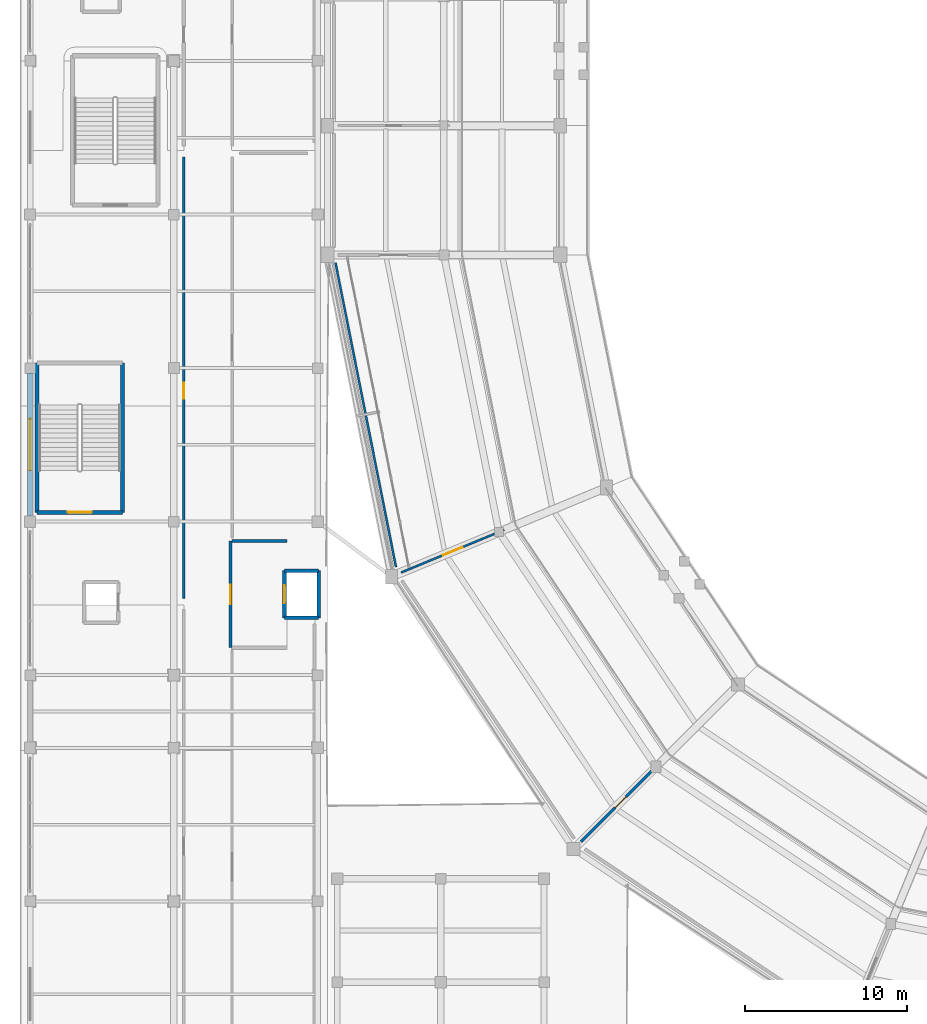
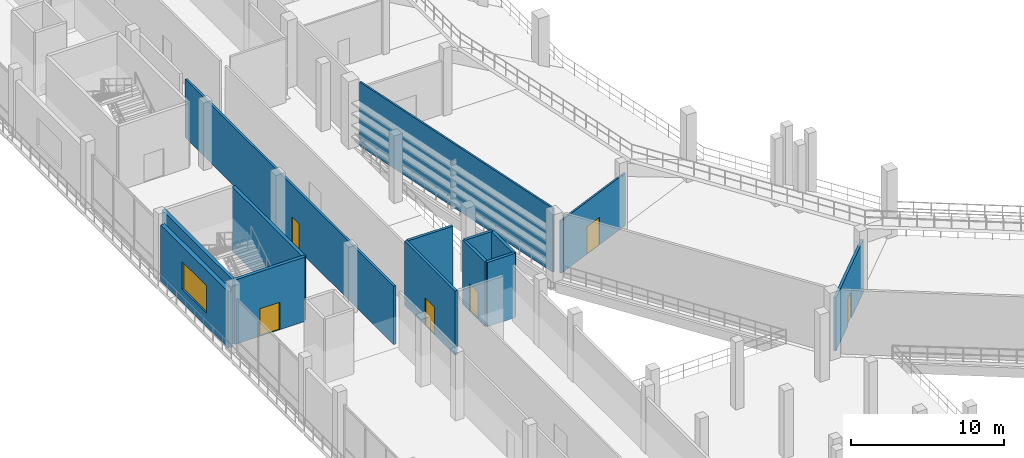
# One storey, part 73 of 127: 14 walls, 6 doors, 1 window, 7 openings.
"""IFC4 building model written with IfcOpenShell, lengths in metres."""

from ifc_helpers import new_model, si_unit, direction, frame, frame_2d, origin, place, context, subcontext, project, spatial, rectangle, extrude, material, layer, layer_set, type_object, element, fill, save


model = new_model("IFC4")

# Units and contexts
model_context = context("Model", 3, precision=1e-05, world=origin(), true_north=direction((0.0, 1.0)))
body_context = subcontext(model_context, "Body", "Model", "MODEL_VIEW")
ifc_project = project(units=[si_unit("LENGTHUNIT", "METRE"), si_unit("AREAUNIT", "SQUARE_METRE"), si_unit("VOLUMEUNIT", "CUBIC_METRE"), si_unit("PLANEANGLEUNIT", "RADIAN"), si_unit("MASSUNIT", "GRAM", prefix="KILO")], contexts=[model_context])

# Site, building, storey
site_placement = place(None, origin())
site = spatial("IfcSite", under=ifc_project, at=site_placement, CompositionType="ELEMENT")
building_placement = place(site_placement, origin())
building = spatial("IfcBuilding", under=site, at=building_placement, Name="Candeia Ridge Stadium", CompositionType="ELEMENT")
storey_placement = place(building_placement, frame((0.0, 0.0, 10.800048828125)))
storey = spatial("IfcBuildingStorey", under=building, at=storey_placement, Name="L02", CompositionType="ELEMENT", Elevation=10.800048828125)

# Walls
ifc_material_1 = material(Name="Concrete C40/50", Category="concrete")
ifc_layer_1 = layer(ifc_material_1, 0.25, Name="Concrete C40/50", Category="concrete")
ifc_layer_set_1 = layer_set([ifc_layer_1], Name="Concrete C40/50")
wall_type_1 = type_object("IfcWallType", Name="Core Shear Wall Concrete 250", PredefinedType="SHEAR", material=ifc_layer_set_1)
for number, where, z_axis, x_axis, name in (
    (1, (6.32470703125, 55.075439453125, 0.0), (0.0, 0.0, 1.0), (0.0, 1.0, 0.0), "Core C05 left shear wall L02"),
    (2, (1.025390625, 64.32470703125, 0.0), (0.0, 0.0, 1.0), (0.0, -1.0, 0.0), "Core C05 right shear wall L02"),
):
    element("IfcWall", number, at=place(storey_placement, frame(where, z_axis=z_axis, x_axis=x_axis)), inside=storey, type_object=wall_type_1, Name=name, PredefinedType="SHEAR", context=body_context, shape_type="SweptSolid", body=[
        extrude(rectangle(XDim=9.249267578125, YDim=0.25, at=frame_2d((4.62451171875, 0.0))), origin(), (0.0, 0.0, 1.0), 5.14990234375),
    ])

# Wall, opening, door
wall_1_placement = place(storey_placement, frame((1.025390625, 55.075439453125, 0.0), z_axis=(0.0, 0.0, 1.0), x_axis=(1.0, 0.0, 0.0)))
wall_1 = element("IfcWall", 3, at=wall_1_placement, inside=storey, type_object=wall_type_1, Name="Core C05 near shear wall L02", PredefinedType="SHEAR", context=body_context, shape_type="SweptSolid", body=[
    extrude(rectangle(XDim=5.29931640625, YDim=0.25, at=frame_2d((2.649658203125, 0.0))), origin(), (0.0, 0.0, 1.0), 5.14990234375),
])
opening_1_placement = place(wall_1_placement, frame((1.899658203125, 0.0, 0.0)))
opening_1 = element("IfcOpeningElement", 4, at=opening_1_placement, cuts=wall_1, Name="Opening FD01", PredefinedType="OPENING", context=body_context, shape_type="SweptSolid", body=[
    extrude(rectangle(XDim=1.5, YDim=2.199951171875, at=frame_2d((0.75, 1.10009765625))), frame((0.0, 0.135009765625, 0.0), z_axis=(0.0, -1.0, 0.0), x_axis=(1.0, 0.0, 0.0)), (0.0, 0.0, 1.0), 0.27001953125),
])
ifc_material_2 = material(Name="Galvanized Fire-Rated Steel", Category="steel")
door_type_1 = type_object("IfcDoorType", Name="Exit Stair Core Fire Door 1500x2200", OperationType="NOTDEFINED", PredefinedType="DOOR", material=ifc_material_2)
door_1_placement = place(opening_1_placement, origin())
door_1 = element("IfcDoor", 5, at=door_1_placement, inside=storey, type_object=door_type_1, Name="Exit stair fire door SD-ST05-L02", OperationType="DOUBLE_DOOR_SINGLE_SWING", OverallHeight=2.199951171875, OverallWidth=1.5, PredefinedType="DOOR", context=body_context, shape_type="SweptSolid", body=[
    extrude(rectangle(XDim=1.5, YDim=2.199951171875, at=frame_2d((0.75, 1.10009765625))), frame((0.0, 0.02490234375, 0.0), z_axis=(0.0, -1.0, 0.0), x_axis=(1.0, 0.0, 0.0)), (0.0, 0.0, 1.0), 0.050048828125),
])
fill(opening_1, door_1)

# Wall, opening, window
ifc_material_3 = material(Name="Concrete C35/45", Category="concrete")
ifc_layer_2 = layer(ifc_material_3, 0.320068359375, Name="Concrete C35/45", Category="concrete")
ifc_layer_set_2 = layer_set([ifc_layer_2], Name="Concrete C35/45")
wall_type_2 = type_object("IfcWallType", Name="Exterior Cedar-Clad Insulated Wall 320", PredefinedType="SOLIDWALL", material=ifc_layer_set_2)
wall_2_placement = place(storey_placement, frame((0.60009765625, 54.837890625, 0.0), z_axis=(0.0, 0.0, 1.0), x_axis=(0.0, 1.0, 0.0)))
wall_2 = element("IfcWall", 6, at=wall_2_placement, inside=storey, type_object=wall_type_2, Name="Exterior facade wall EW-L02-0077", PredefinedType="SOLIDWALL", context=body_context, shape_type="SweptSolid", body=[
    extrude(rectangle(XDim=8.84912109375, YDim=0.320068359375, at=frame_2d((4.424560546875, 0.0))), origin(), (0.0, 0.0, 1.0), 4.48486328125),
])
opening_2_placement = place(wall_2_placement, frame((2.824462890625, 0.0, 1.050048828125)))
opening_2 = element("IfcOpeningElement", 7, at=opening_2_placement, cuts=wall_2, Name="Opening W05", PredefinedType="OPENING", context=body_context, shape_type="SweptSolid", body=[
    extrude(rectangle(XDim=3.199951171875, YDim=2.199951171875, at=frame_2d((1.60009765625, 1.10009765625))), frame((0.0, 0.169921875, 0.0), z_axis=(0.0, -1.0, 0.0), x_axis=(1.0, 0.0, 0.0)), (0.0, 0.0, 1.0), 0.340087890625),
])
ifc_material_4 = material(Name="Tempered Solar-Control Double Glazing", Category="glass")
window_type = type_object("IfcWindowType", Name="Club Dining Picture Window 3200x2200", PartitioningType="SINGLE_PANEL", PredefinedType="WINDOW", material=ifc_material_4)
window_placement = place(opening_2_placement, origin())
window = element("IfcWindow", 8, at=window_placement, inside=storey, type_object=window_type, Name="Exterior window WIN-L02-031", OverallHeight=2.199951171875, OverallWidth=3.199951171875, PartitioningType="SINGLE_PANEL", PredefinedType="WINDOW", context=body_context, shape_type="SweptSolid", body=[
    extrude(rectangle(XDim=3.199951171875, YDim=2.199951171875, at=frame_2d((1.60009765625, 1.10009765625))), frame((0.0, 0.030029296875, 0.0), z_axis=(0.0, -1.0, 0.0), x_axis=(1.0, 0.0, 0.0)), (0.0, 0.0, 1.0), 0.06005859375),
])
fill(opening_2, window)

# Wall
ifc_layer_3 = layer(ifc_material_3, 0.199951171875, Name="Concrete C35/45", Category="concrete")
ifc_layer_set_3 = layer_set([ifc_layer_3], Name="Concrete C35/45")
wall_type_3 = type_object("IfcWallType", Name="Firefighting Lobby Rated Wall 200", PredefinedType="SOLIDWALL", material=ifc_layer_set_3)
wall_3_placement = place(storey_placement, frame((16.5, 53.300048828125, 0.0), z_axis=(0.0, 0.0, 1.0), x_axis=(-1.0, 0.0, 0.0)))
element("IfcWall", 9, at=wall_3_placement, inside=storey, type_object=wall_type_3, Name="Firefighting lift lobby FF1 rated wall L02 north", PredefinedType="SOLIDWALL", context=body_context, shape_type="SweptSolid", body=[
    extrude(rectangle(XDim=3.39990234375, YDim=0.199951171875, at=frame_2d((1.699951171875, 0.0))), origin(), (0.0, 0.0, 1.0), 5.119873046875),
])

# Wall, opening, door
wall_4_placement = place(storey_placement, frame((13.0, 53.300048828125, 0.0), z_axis=(0.0, 0.0, 1.0), x_axis=(0.0, -1.0, 0.0)))
wall_4 = element("IfcWall", 10, at=wall_4_placement, inside=storey, type_object=wall_type_3, Name="Firefighting lift lobby FF1 rated wall L02 entry", PredefinedType="SOLIDWALL", context=body_context, shape_type="SweptSolid", body=[
    extrude(rectangle(XDim=6.60009765625, YDim=0.199951171875, at=frame_2d((3.300048828125, 0.0))), origin(), (0.0, 0.0, 1.0), 5.119873046875),
])
opening_3_placement = place(wall_4_placement, frame((2.699951171875, 0.0, 0.0)))
opening_3 = element("IfcOpeningElement", 11, at=opening_3_placement, cuts=wall_4, Name="Opening FD02", PredefinedType="OPENING", context=body_context, shape_type="SweptSolid", body=[
    extrude(rectangle(XDim=1.199951171875, YDim=2.199951171875, at=frame_2d((0.60009765625, 1.10009765625))), frame((0.0, 0.10986328125, 0.0), z_axis=(0.0, -1.0, 0.0), x_axis=(1.0, 0.0, 0.0)), (0.0, 0.0, 1.0), 0.219970703125),
])
door_type_2 = type_object("IfcDoorType", Name="Firefighting Lobby Fire Door 1200x2200", OperationType="NOTDEFINED", PredefinedType="DOOR", material=ifc_material_2)
door_2_placement = place(opening_3_placement, frame((1.199951171875, 0.0, 0.0), z_axis=(0.0, 0.0, 1.0), x_axis=(-1.0, 0.0, 0.0)))
door_2 = element("IfcDoor", 12, at=door_2_placement, inside=storey, type_object=door_type_2, Name="Firefighting lobby fire door FFD-FF1-L02", OperationType="SINGLE_SWING_LEFT", OverallHeight=2.199951171875, OverallWidth=1.199951171875, PredefinedType="DOOR", context=body_context, shape_type="SweptSolid", body=[
    extrude(rectangle(XDim=1.199951171875, YDim=2.199951171875, at=frame_2d((0.60009765625, 1.10009765625))), frame((0.0, 0.02490234375, 0.0), z_axis=(0.0, -1.0, 0.0), x_axis=(1.0, 0.0, 0.0)), (0.0, 0.0, 1.0), 0.050048828125),
])
fill(opening_3, door_2)

ifc_material_5 = material(Name="Gypsum Acoustic Twin-Stud Assembly", Category="gypsum")
ifc_layer_4 = layer(ifc_material_5, 0.1650390625, Name="Gypsum Acoustic Twin-Stud Assembly", Category="gypsum")
ifc_layer_set_4 = layer_set([ifc_layer_4], Name="Gypsum Acoustic Twin-Stud Assembly")
wall_type_4 = type_object("IfcWallType", Name="Hospitality Suite Acoustic Wall 165", PredefinedType="PARTITIONING", material=ifc_layer_set_4)
wall_5_placement = place(storey_placement, frame((10.10009765625, 77.050048828125, 0.0), z_axis=(0.0, 0.0, 1.0), x_axis=(0.0, -1.0, 0.0)))
wall_5 = element("IfcWall", 13, at=wall_5_placement, inside=storey, type_object=wall_type_4, Name="Interior partition PT-L02-0339", PredefinedType="PARTITIONING", context=body_context, shape_type="SweptSolid", body=[
    extrude(rectangle(XDim=27.300048828125, YDim=0.1650390625, at=frame_2d((13.64990234375, 0.0))), origin(), (0.0, 0.0, 1.0), 4.677978515625),
])
opening_4_placement = place(wall_5_placement, frame((13.9599609375, 0.0, 0.0)))
opening_4 = element("IfcOpeningElement", 14, at=opening_4_placement, cuts=wall_5, Name="Opening ID12", PredefinedType="OPENING", context=body_context, shape_type="SweptSolid", body=[
    extrude(rectangle(XDim=0.97998046875, YDim=2.14990234375, at=frame_2d((0.489990234375, 1.074951171875))), frame((0.0, 0.092529296875, 0.0), z_axis=(0.0, -1.0, 0.0), x_axis=(1.0, 0.0, 0.0)), (0.0, 0.0, 1.0), 0.18505859375),
])
ifc_material_6 = material(Name="Acoustic Timber Studio Leaf", Category="wood")
door_type_3 = type_object("IfcDoorType", Name="Commentary Booth Acoustic Door 980x2150", OperationType="NOTDEFINED", PredefinedType="DOOR", material=ifc_material_6)
door_3_placement = place(opening_4_placement, frame((0.97998046875, 0.0, 0.0), z_axis=(0.0, 0.0, 1.0), x_axis=(-1.0, 0.0, 0.0)))
door_3 = element("IfcDoor", 15, at=door_3_placement, inside=storey, type_object=door_type_3, Name="Interior room door D-L02-0175", OperationType="SINGLE_SWING_RIGHT", OverallHeight=2.14990234375, OverallWidth=0.97998046875, PredefinedType="DOOR", context=body_context, shape_type="SweptSolid", body=[
    extrude(rectangle(XDim=0.97998046875, YDim=2.14990234375, at=frame_2d((0.489990234375, 1.074951171875))), frame((0.0, 0.02490234375, 0.0), z_axis=(0.0, -1.0, 0.0), x_axis=(1.0, 0.0, 0.0)), (0.0, 0.0, 1.0), 0.050048828125),
])
fill(opening_4, door_3)

# Walls
ifc_layer_5 = layer(ifc_material_1, 0.219970703125, Name="Concrete C40/50", Category="concrete")
ifc_layer_set_5 = layer_set([ifc_layer_5], Name="Concrete C40/50")
wall_type_5 = type_object("IfcWallType", Name="Lift & Riser Shaft Wall 220", PredefinedType="SHEAR", material=ifc_layer_set_5)
wall_6_placement = place(storey_placement, frame((16.340087890625, 48.5400390625, 0.0), z_axis=(0.0, 0.0, 1.0), x_axis=(1.0, 0.0, 0.0)))
element("IfcWall", 16, at=wall_6_placement, inside=storey, type_object=wall_type_5, Name="Lift FF1 shaft wall L02 south", PredefinedType="SHEAR", context=body_context, shape_type="SweptSolid", body=[
    extrude(rectangle(XDim=2.119873046875, YDim=0.219970703125, at=frame_2d((1.06005859375, 0.0))), origin(), (0.0, 0.0, 1.0), 5.14990234375),
])
wall_7_placement = place(storey_placement, frame((18.4599609375, 48.5400390625, 0.0), z_axis=(0.0, 0.0, 1.0), x_axis=(0.0, 1.0, 0.0)))
element("IfcWall", 17, at=wall_7_placement, inside=storey, type_object=wall_type_5, Name="Lift FF1 shaft wall L02 east", PredefinedType="SHEAR", context=body_context, shape_type="SweptSolid", body=[
    extrude(rectangle(XDim=2.919921875, YDim=0.219970703125, at=frame_2d((1.4599609375, 0.0))), origin(), (0.0, 0.0, 1.0), 5.14990234375),
])
wall_8_placement = place(storey_placement, frame((18.4599609375, 51.4599609375, 0.0), z_axis=(0.0, 0.0, 1.0), x_axis=(-1.0, 0.0, 0.0)))
element("IfcWall", 18, at=wall_8_placement, inside=storey, type_object=wall_type_5, Name="Lift FF1 shaft wall L02 north", PredefinedType="SHEAR", context=body_context, shape_type="SweptSolid", body=[
    extrude(rectangle(XDim=2.119873046875, YDim=0.219970703125, at=frame_2d((1.06005859375, 0.0))), origin(), (0.0, 0.0, 1.0), 5.14990234375),
])

# Wall, opening, door
wall_9_placement = place(storey_placement, frame((16.340087890625, 51.4599609375, 0.0), z_axis=(0.0, 0.0, 1.0), x_axis=(0.0, -1.0, 0.0)))
wall_9 = element("IfcWall", 19, at=wall_9_placement, inside=storey, type_object=wall_type_5, Name="Lift FF1 shaft wall L02 west", PredefinedType="SHEAR", context=body_context, shape_type="SweptSolid", body=[
    extrude(rectangle(XDim=2.919921875, YDim=0.219970703125, at=frame_2d((1.4599609375, 0.0))), origin(), (0.0, 0.0, 1.0), 5.14990234375),
])
opening_5_placement = place(wall_9_placement, frame((0.909912109375, 0.0, 0.0)))
opening_5 = element("IfcOpeningElement", 20, at=opening_5_placement, cuts=wall_9, Name="Opening LD01", PredefinedType="OPENING", context=body_context, shape_type="SweptSolid", body=[
    extrude(rectangle(XDim=1.10009765625, YDim=2.199951171875, at=frame_2d((0.550048828125, 1.10009765625))), frame((0.0, 0.119873046875, 0.0), z_axis=(0.0, -1.0, 0.0), x_axis=(1.0, 0.0, 0.0)), (0.0, 0.0, 1.0), 0.239990234375),
])
ifc_material_7 = material(Name="Brushed Stainless Steel", Category="steel")
door_type_4 = type_object("IfcDoorType", Name="Firefighting Lift Landing Door 1100x2200", OperationType="NOTDEFINED", PredefinedType="DOOR", material=ifc_material_7)
door_4_placement = place(opening_5_placement, origin())
door_4 = element("IfcDoor", 21, at=door_4_placement, inside=storey, type_object=door_type_4, Name="Lift landing sliding door LD-FF1-L02", OperationType="DOUBLE_DOOR_SLIDING", OverallHeight=2.199951171875, OverallWidth=1.10009765625, PredefinedType="DOOR", context=body_context, shape_type="SweptSolid", body=[
    extrude(rectangle(XDim=1.10009765625, YDim=2.199951171875, at=frame_2d((0.550048828125, 1.10009765625))), frame((0.0, 0.02490234375, 0.0), z_axis=(0.0, -1.0, 0.0), x_axis=(1.0, 0.0, 0.0)), (0.0, 0.0, 1.0), 0.050048828125),
])
fill(opening_5, door_4)

ifc_material_8 = material(Name="Gypsum Acoustic Triple-Board Wall", Category="gypsum")
ifc_layer_6 = layer(ifc_material_8, 0.18994140625, Name="Gypsum Acoustic Triple-Board Wall", Category="gypsum")
ifc_layer_set_6 = layer_set([ifc_layer_6], Name="Gypsum Acoustic Triple-Board Wall")
wall_type_6 = type_object("IfcWallType", Name="Media & Commentary Studio Wall 190", PredefinedType="PARTITIONING", material=ifc_layer_set_6)
wall_10_placement = place(storey_placement, frame((39.569091796875, 39.569091796875, 0.0), z_axis=(0.0, 0.0, 1.0), x_axis=(-0.707106781187, -0.707106781187, 0.0)))
wall_10 = element("IfcWall", 22, at=wall_10_placement, inside=storey, type_object=wall_type_6, Name="Interior partition PT-L02-0471", PredefinedType="PARTITIONING", context=body_context, shape_type="SweptSolid", body=[
    extrude(rectangle(XDim=6.89990234375, YDim=0.18994140625, at=frame_2d((3.449951171875, 0.0))), origin(), (0.0, 0.0, 1.0), 4.2548828125),
])
opening_6_placement = place(wall_10_placement, frame((2.969970703125, 0.0, 0.0)))
opening_6 = element("IfcOpeningElement", 23, at=opening_6_placement, cuts=wall_10, Name="Opening ID17", PredefinedType="OPENING", context=body_context, shape_type="SweptSolid", body=[
    extrude(rectangle(XDim=0.9599609375, YDim=2.14990234375, at=frame_2d((0.47998046875, 1.074951171875))), frame((0.0, 0.10498046875, 0.0), z_axis=(0.0, -1.0, 0.0), x_axis=(1.0, 0.0, 0.0)), (0.0, 0.0, 1.0), 0.2099609375),
])
ifc_material_9 = material(Name="Solid Core Cedar Veneer", Category="wood")
door_type_5 = type_object("IfcDoorType", Name="Ticketing Office Single Door 960x2150", OperationType="NOTDEFINED", PredefinedType="DOOR", material=ifc_material_9)
door_5_placement = place(opening_6_placement, origin())
door_5 = element("IfcDoor", 24, at=door_5_placement, inside=storey, type_object=door_type_5, Name="Interior room door D-L02-0243", OperationType="SINGLE_SWING_LEFT", OverallHeight=2.14990234375, OverallWidth=0.9599609375, PredefinedType="DOOR", context=body_context, shape_type="SweptSolid", body=[
    extrude(rectangle(XDim=0.9599609375, YDim=2.14990234375, at=frame_2d((0.47998046875, 1.074951171875))), frame((0.0, 0.02490234375, 0.0), z_axis=(0.0, -1.0, 0.0), x_axis=(1.0, 0.0, 0.0)), (0.0, 0.0, 1.0), 0.050048828125),
])
fill(opening_6, door_5)

ifc_material_10 = material(Name="Gypsum Metal-Stud Partition", Category="gypsum")
ifc_layer_7 = layer(ifc_material_10, 0.1298828125, Name="Gypsum Metal-Stud Partition", Category="gypsum")
ifc_layer_set_7 = layer_set([ifc_layer_7], Name="Gypsum Metal-Stud Partition")
wall_type_7 = type_object("IfcWallType", Name="Ticketing Back-Office Partition 130", PredefinedType="PARTITIONING", material=ifc_layer_set_7)
wall_11_placement = place(storey_placement, frame((29.93359375, 53.98974609375, 0.0), z_axis=(0.0, 0.0, 1.0), x_axis=(-0.923873656974, -0.38269761686, 0.0)))
wall_11 = element("IfcWall", 25, at=wall_11_placement, inside=storey, type_object=wall_type_7, Name="Interior partition PT-L02-0469", PredefinedType="PARTITIONING", context=body_context, shape_type="SweptSolid", body=[
    extrude(rectangle(XDim=6.900146484375, YDim=0.1298828125, at=frame_2d((3.4501953125, 0.0))), origin(), (0.0, 0.0, 1.0), 4.21484375),
])
opening_7_placement = place(wall_11_placement, frame((2.800048828125, 0.0, 0.0)))
opening_7 = element("IfcOpeningElement", 26, at=opening_7_placement, cuts=wall_11, Name="Opening ID13", PredefinedType="OPENING", context=body_context, shape_type="SweptSolid", body=[
    extrude(rectangle(XDim=1.300048828125, YDim=2.199951171875, at=frame_2d((0.64990234375, 1.10009765625))), frame((0.0, 0.074951171875, 0.0), z_axis=(0.0, -1.0, 0.0), x_axis=(1.0, 0.0, 0.0)), (0.0, 0.0, 1.0), 0.14990234375),
])
ifc_material_11 = material(Name="Moisture-Resistant Laminate", Category="wood")
door_type_6 = type_object("IfcDoorType", Name="Medical Clinic Wide Door 1300x2200", OperationType="NOTDEFINED", PredefinedType="DOOR", material=ifc_material_11)
door_6_placement = place(opening_7_placement, frame((1.300048828125, 0.0, 0.0), z_axis=(0.0, 0.0, 1.0), x_axis=(-1.0, 0.0, 0.0)))
door_6 = element("IfcDoor", 27, at=door_6_placement, inside=storey, type_object=door_type_6, Name="Interior room door D-L02-0242", OperationType="SINGLE_SWING_RIGHT", OverallHeight=2.199951171875, OverallWidth=1.300048828125, PredefinedType="DOOR", context=body_context, shape_type="SweptSolid", body=[
    extrude(rectangle(XDim=1.300048828125, YDim=2.199951171875, at=frame_2d((0.64990234375, 1.10009765625))), frame((0.0, 0.02490234375, 0.0), z_axis=(0.0, -1.0, 0.0), x_axis=(1.0, 0.0, 0.0)), (0.0, 0.0, 1.0), 0.050048828125),
])
fill(opening_7, door_6)

# Wall
wall_12_placement = place(storey_placement, frame((23.239990234375, 51.69482421875, 0.0), z_axis=(0.0, 0.0, 1.0), x_axis=(-0.195083697793, 0.98078659802, 0.0)))
element("IfcWall", 28, at=wall_12_placement, inside=storey, type_object=wall_type_7, Name="Demising partition PT-L02-0470", PredefinedType="PARTITIONING", context=body_context, shape_type="SweptSolid", body=[
    extrude(rectangle(XDim=19.1923828125, YDim=0.1298828125, at=frame_2d((9.59619140625, 0.0))), origin(), (0.0, 0.0, 1.0), 5.119873046875),
])

save(model, "model.ifc")
